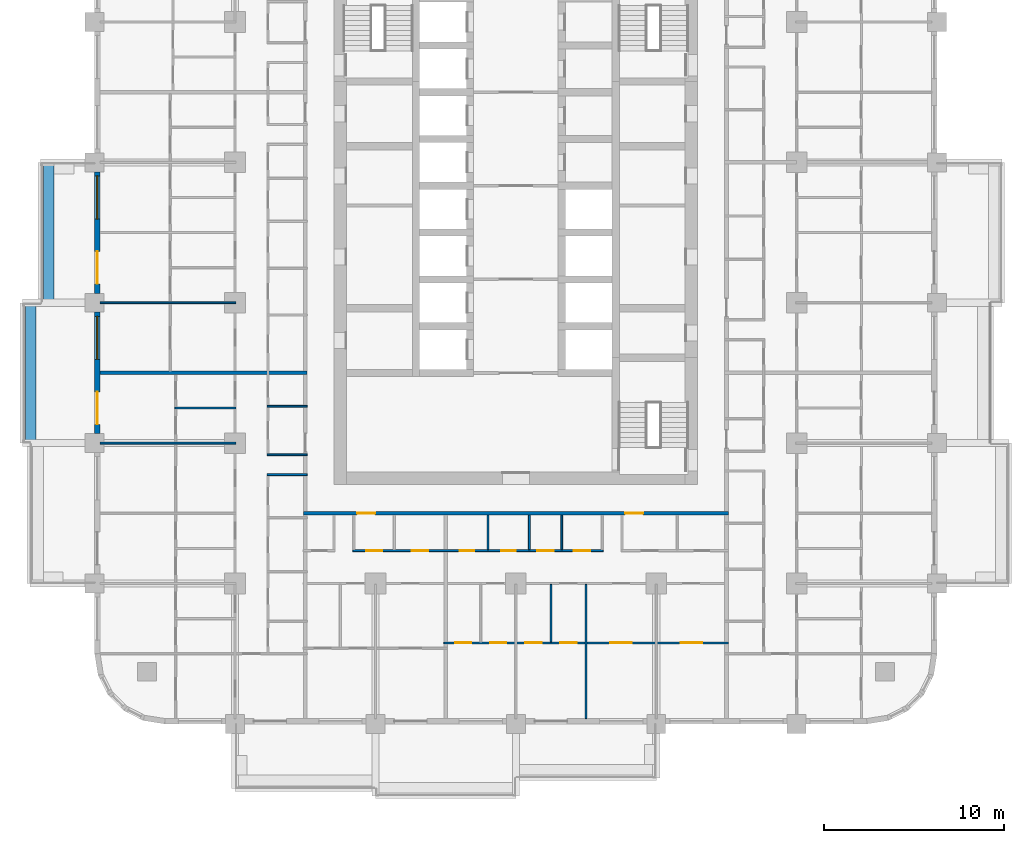
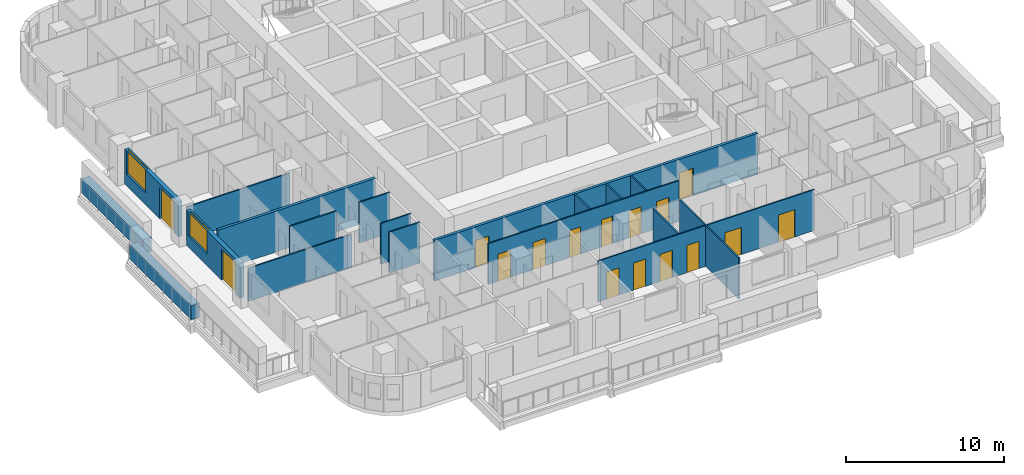
# One storey, part 4 of 17: 19 walls, 16 doors, 2 windows, 18 openings.
"""IFC4 building model written with IfcOpenShell, lengths in metres."""

from ifc_helpers import new_model, si_unit, direction, frame, frame_2d, origin, place, context, subcontext, project, spatial, rectangle, extrude, material, layer, layer_set, type_object, element, fill, save


model = new_model("IFC4")

# Units and contexts
model_context = context("Model", 3, precision=1e-05, world=origin(), true_north=direction((0.0, 1.0)))
body_context = subcontext(model_context, "Body", "Model", "MODEL_VIEW")
ifc_project = project(units=[si_unit("LENGTHUNIT", "METRE"), si_unit("AREAUNIT", "SQUARE_METRE"), si_unit("VOLUMEUNIT", "CUBIC_METRE"), si_unit("PLANEANGLEUNIT", "RADIAN"), si_unit("MASSUNIT", "GRAM", prefix="KILO")], contexts=[model_context])

# Site, building, storey
site_placement = place(None, origin())
site = spatial("IfcSite", under=ifc_project, at=site_placement, CompositionType="ELEMENT")
building_placement = place(site_placement, origin())
building = spatial("IfcBuilding", under=site, at=building_placement, Name="Ludao Terraces", CompositionType="ELEMENT")
storey_placement = place(building_placement, frame((0.0, 0.0, 51.199951171875)))
storey = spatial("IfcBuildingStorey", under=building, at=storey_placement, Name="L13", CompositionType="ELEMENT", Elevation=51.199951171875)

# Walls
ifc_material_1 = material(Name="Concrete C40", Category="concrete")
ifc_layer_1 = layer(ifc_material_1, 0.60009765625)
ifc_layer_set_1 = layer_set([ifc_layer_1], Name="ENV Planter trough 600")
wall_type_1 = type_object("IfcWallType", Name="ENV Planter trough 600", PredefinedType="USERDEFINED", material=ifc_layer_set_1)
for number, where, z_axis, x_axis, name in (
    (1, (58.050048828125, 57.199951171875, 0.0), (0.0, 0.0, 1.0), (0.0, 1.0, 0.0), "PL-L13-W2"),
    (2, (59.050048828125, 65.0, 0.0), (0.0, 0.0, 1.0), (0.0, 1.0, 0.0), "PL-L13-W3"),
):
    element("IfcWall", number, at=place(storey_placement, frame(where, z_axis=z_axis, x_axis=x_axis)), inside=storey, type_object=wall_type_1, Name=name, ObjectType="PLANTER", PredefinedType="USERDEFINED", context=body_context, shape_type="SweptSolid", body=[
        extrude(rectangle(XDim=7.800048828125, YDim=0.60009765625, at=frame_2d((3.89990234375, 0.0))), origin(), (0.0, 0.0, 1.0), 1.10009765625),
    ])

# Wall, openings, door, window
ifc_material_2 = material(Name="Granite cladding", Category="masonry")
ifc_layer_2 = layer(ifc_material_2, 0.0400390625, Category="stone")
ifc_material_3 = material(Name="Mineral wool")
ifc_layer_3 = layer(ifc_material_3, 0.06005859375)
ifc_layer_4 = layer(ifc_material_1, 0.199951171875, Category="concrete")
ifc_layer_set_2 = layer_set([ifc_layer_2, ifc_layer_3, ifc_layer_4], Name="ENV Stone-clad wall 300")
wall_type_2 = type_object("IfcWallType", Name="ENV Stone-clad wall 300", PredefinedType="SOLIDWALL", material=ifc_layer_set_2)
wall_1_placement = place(storey_placement, frame((61.75, 57.72509765625, 0.0), z_axis=(0.0, 0.0, 1.0), x_axis=(0.0, 1.0, 0.0)))
wall_1 = element("IfcWall", 3, at=wall_1_placement, inside=storey, type_object=wall_type_2, Name="EW-L13-W3", PredefinedType="SOLIDWALL", context=body_context, shape_type="SweptSolid", body=[
    extrude(rectangle(XDim=6.75, YDim=0.300048828125, at=frame_2d((3.375, 0.0))), origin(), (0.0, 0.0, 1.0), 2.699951171875),
])
opening_1_placement = place(wall_1_placement, frame((0.52490234375, 0.0, 0.0)))
opening_1 = element("IfcOpeningElement", 4, at=opening_1_placement, cuts=wall_1, Name="Opening BD", PredefinedType="OPENING", context=body_context, shape_type="SweptSolid", body=[
    extrude(rectangle(XDim=1.800048828125, YDim=2.39990234375, at=frame_2d((0.89990234375, 1.199951171875))), frame((0.0, 0.16015625, 0.0), z_axis=(0.0, -1.0, 0.0), x_axis=(1.0, 0.0, 0.0)), (0.0, 0.0, 1.0), 0.320068359375),
])
opening_2_placement = place(wall_1_placement, frame((4.125, 0.0, 0.89990234375)))
opening_2 = element("IfcOpeningElement", 5, at=opening_2_placement, cuts=wall_1, Name="Opening W1", PredefinedType="OPENING", context=body_context, shape_type="SweptSolid", body=[
    extrude(rectangle(XDim=2.39990234375, YDim=1.800048828125, at=frame_2d((1.199951171875, 0.89990234375))), frame((0.0, 0.16015625, 0.0), z_axis=(0.0, -1.0, 0.0), x_axis=(1.0, 0.0, 0.0)), (0.0, 0.0, 1.0), 0.320068359375),
])
ifc_material_4 = material(Name="Aluminium glazed door", Category="aluminium")
ifc_layer_5 = layer(ifc_material_4, 0.06005859375)
ifc_layer_set_3 = layer_set([ifc_layer_5], Name="ENV Balcony door BD 1800x2400")
door_type_1 = type_object("IfcDoorType", Name="ENV Balcony door BD 1800x2400", OperationType="DOUBLE_DOOR_SINGLE_SWING", PredefinedType="DOOR", material=ifc_layer_set_3)
door_1_placement = place(opening_1_placement, origin())
door_1 = element("IfcDoor", 6, at=door_1_placement, inside=storey, type_object=door_type_1, Name="BD-L13-W3-1", OperationType="DOUBLE_DOOR_SINGLE_SWING", OverallHeight=2.39990234375, OverallWidth=1.800048828125, PredefinedType="DOOR", context=body_context, shape_type="SweptSolid", body=[
    extrude(rectangle(XDim=1.800048828125, YDim=2.39990234375, at=frame_2d((0.89990234375, 1.199951171875))), frame((0.0, 0.02490234375, 0.0), z_axis=(0.0, -1.0, 0.0), x_axis=(1.0, 0.0, 0.0)), (0.0, 0.0, 1.0), 0.050048828125),
])
fill(opening_1, door_1)
ifc_material_5 = material(Name="Clear glass in aluminium frame", Category="aluminium")
ifc_layer_6 = layer(ifc_material_5, 0.06005859375)
ifc_layer_set_4 = layer_set([ifc_layer_6], Name="ENV Window W1 2400x1800")
window_type = type_object("IfcWindowType", Name="ENV Window W1 2400x1800", PartitioningType="DOUBLE_PANEL_VERTICAL", PredefinedType="WINDOW", material=ifc_layer_set_4)
window_1_placement = place(opening_2_placement, origin())
window_1 = element("IfcWindow", 7, at=window_1_placement, inside=storey, type_object=window_type, Name="W-L13-W3-2", OverallHeight=1.800048828125, OverallWidth=2.39990234375, PartitioningType="DOUBLE_PANEL_VERTICAL", PredefinedType="WINDOW", context=body_context, shape_type="SweptSolid", body=[
    extrude(rectangle(XDim=2.39990234375, YDim=1.800048828125, at=frame_2d((1.199951171875, 0.89990234375))), frame((0.0, 0.030029296875, 0.0), z_axis=(0.0, -1.0, 0.0), x_axis=(1.0, 0.0, 0.0)), (0.0, 0.0, 1.0), 0.06005859375),
])
fill(opening_2, window_1)

wall_2_placement = place(storey_placement, frame((61.75, 65.52490234375, 0.0), z_axis=(0.0, 0.0, 1.0), x_axis=(0.0, 1.0, 0.0)))
wall_2 = element("IfcWall", 8, at=wall_2_placement, inside=storey, type_object=wall_type_2, Name="EW-L13-W4", PredefinedType="SOLIDWALL", context=body_context, shape_type="SweptSolid", body=[
    extrude(rectangle(XDim=6.75, YDim=0.300048828125, at=frame_2d((3.375, 0.0))), origin(), (0.0, 0.0, 1.0), 2.699951171875),
])
opening_3_placement = place(wall_2_placement, frame((0.52490234375, 0.0, 0.0)))
opening_3 = element("IfcOpeningElement", 9, at=opening_3_placement, cuts=wall_2, Name="Opening BD", PredefinedType="OPENING", context=body_context, shape_type="SweptSolid", body=[
    extrude(rectangle(XDim=1.800048828125, YDim=2.39990234375, at=frame_2d((0.89990234375, 1.199951171875))), frame((0.0, 0.16015625, 0.0), z_axis=(0.0, -1.0, 0.0), x_axis=(1.0, 0.0, 0.0)), (0.0, 0.0, 1.0), 0.320068359375),
])
opening_4_placement = place(wall_2_placement, frame((4.125, 0.0, 0.89990234375)))
opening_4 = element("IfcOpeningElement", 10, at=opening_4_placement, cuts=wall_2, Name="Opening W1", PredefinedType="OPENING", context=body_context, shape_type="SweptSolid", body=[
    extrude(rectangle(XDim=2.39990234375, YDim=1.800048828125, at=frame_2d((1.199951171875, 0.89990234375))), frame((0.0, 0.16015625, 0.0), z_axis=(0.0, -1.0, 0.0), x_axis=(1.0, 0.0, 0.0)), (0.0, 0.0, 1.0), 0.320068359375),
])
door_2_placement = place(opening_3_placement, origin())
door_2 = element("IfcDoor", 11, at=door_2_placement, inside=storey, type_object=door_type_1, Name="BD-L13-W4-1", OperationType="DOUBLE_DOOR_SINGLE_SWING", OverallHeight=2.39990234375, OverallWidth=1.800048828125, PredefinedType="DOOR", context=body_context, shape_type="SweptSolid", body=[
    extrude(rectangle(XDim=1.800048828125, YDim=2.39990234375, at=frame_2d((0.89990234375, 1.199951171875))), frame((0.0, 0.02490234375, 0.0), z_axis=(0.0, -1.0, 0.0), x_axis=(1.0, 0.0, 0.0)), (0.0, 0.0, 1.0), 0.050048828125),
])
fill(opening_3, door_2)
window_2_placement = place(opening_4_placement, origin())
window_2 = element("IfcWindow", 12, at=window_2_placement, inside=storey, type_object=window_type, Name="W-L13-W4-2", OverallHeight=1.800048828125, OverallWidth=2.39990234375, PartitioningType="DOUBLE_PANEL_VERTICAL", PredefinedType="WINDOW", context=body_context, shape_type="SweptSolid", body=[
    extrude(rectangle(XDim=2.39990234375, YDim=1.800048828125, at=frame_2d((1.199951171875, 0.89990234375))), frame((0.0, 0.030029296875, 0.0), z_axis=(0.0, -1.0, 0.0), x_axis=(1.0, 0.0, 0.0)), (0.0, 0.0, 1.0), 0.06005859375),
])
fill(opening_4, window_2)

# Wall, openings, doors
ifc_material_6 = material(Name="Autoclaved aerated concrete block B06 A3.5", Category="concrete")
ifc_layer_7 = layer(ifc_material_6, 0.199951171875)
ifc_layer_set_5 = layer_set([ifc_layer_7], Name="INT Entrance wall 200")
wall_type_3 = type_object("IfcWallType", Name="INT Entrance wall 200", PredefinedType="PARTITIONING", material=ifc_layer_set_5)
wall_3_placement = place(storey_placement, frame((73.2001953125, 53.300048828125, 0.0), z_axis=(0.0, 0.0, 1.0), x_axis=(1.0, 0.0, 0.0)))
wall_3 = element("IfcWall", 13, at=wall_3_placement, inside=storey, type_object=wall_type_3, Name="PW-L13-PW021", PredefinedType="PARTITIONING", context=body_context, shape_type="SweptSolid", body=[
    extrude(rectangle(XDim=23.599853515625, YDim=0.199951171875, at=frame_2d((11.7998046875, 0.0))), origin(), (0.0, 0.0, 1.0), 3.150146484375),
])
opening_5_placement = place(wall_3_placement, frame((2.974853515625, 0.0, 0.0)))
opening_5 = element("IfcOpeningElement", 14, at=opening_5_placement, cuts=wall_3, Name="Opening R04-049", PredefinedType="OPENING", context=body_context, shape_type="SweptSolid", body=[
    extrude(rectangle(XDim=1.0, YDim=2.10009765625, at=frame_2d((0.5, 1.050048828125))), frame((0.0, 0.10986328125, 0.0), z_axis=(0.0, -1.0, 0.0), x_axis=(1.0, 0.0, 0.0)), (0.0, 0.0, 1.0), 0.219970703125),
])
opening_6_placement = place(wall_3_placement, frame((17.875, 0.0, 0.0)))
opening_6 = element("IfcOpeningElement", 15, at=opening_6_placement, cuts=wall_3, Name="Opening R04-050", PredefinedType="OPENING", context=body_context, shape_type="SweptSolid", body=[
    extrude(rectangle(XDim=1.0, YDim=2.10009765625, at=frame_2d((0.5, 1.050048828125))), frame((0.0, 0.10986328125, 0.0), z_axis=(0.0, -1.0, 0.0), x_axis=(1.0, 0.0, 0.0)), (0.0, 0.0, 1.0), 0.219970703125),
])
ifc_material_7 = material(Name="Steel Q235", Category="steel")
door_type_2 = type_object("IfcDoorType", Name="INT Flat entrance door 1000", OperationType="SINGLE_SWING_LEFT", PredefinedType="DOOR", material=ifc_material_7)
door_3_placement = place(opening_5_placement, origin())
door_3 = element("IfcDoor", 16, at=door_3_placement, inside=storey, type_object=door_type_2, Name="DOOR 049", OperationType="SINGLE_SWING_LEFT", OverallHeight=2.10009765625, OverallWidth=1.0, PredefinedType="DOOR", context=body_context, shape_type="SweptSolid", body=[
    extrude(rectangle(XDim=1.0, YDim=2.10009765625, at=frame_2d((0.5, 1.050048828125))), frame((0.0, 0.02490234375, 0.0), z_axis=(0.0, -1.0, 0.0), x_axis=(1.0, 0.0, 0.0)), (0.0, 0.0, 1.0), 0.050048828125),
])
fill(opening_5, door_3)
door_4_placement = place(opening_6_placement, origin())
door_4 = element("IfcDoor", 17, at=door_4_placement, inside=storey, type_object=door_type_2, Name="DOOR 050", OperationType="SINGLE_SWING_LEFT", OverallHeight=2.10009765625, OverallWidth=1.0, PredefinedType="DOOR", context=body_context, shape_type="SweptSolid", body=[
    extrude(rectangle(XDim=1.0, YDim=2.10009765625, at=frame_2d((0.5, 1.050048828125))), frame((0.0, 0.02490234375, 0.0), z_axis=(0.0, -1.0, 0.0), x_axis=(1.0, 0.0, 0.0)), (0.0, 0.0, 1.0), 0.050048828125),
])
fill(opening_6, door_4)

ifc_material_8 = material(Name="Gypsum plasterboard", Category="gypsum")
ifc_layer_8 = layer(ifc_material_8, 0.012451171875, Category="gypsum")
ifc_layer_9 = layer(ifc_material_3, 0.06005859375, Name="insulation")
ifc_layer_10 = layer(ifc_material_7, 0.014892578125, Name="stud")
ifc_layer_11 = layer(ifc_material_8, 0.012451171875, Category="gypsum")
ifc_layer_set_6 = layer_set([ifc_layer_8, ifc_layer_9, ifc_layer_10, ifc_layer_11], Name="INT Partition 100")
wall_type_4 = type_object("IfcWallType", Name="INT Partition 100", PredefinedType="PARTITIONING", material=ifc_layer_set_6)
wall_4_placement = place(storey_placement, frame((81.0, 46.10009765625, 0.0), z_axis=(0.0, 0.0, 1.0), x_axis=(1.0, 0.0, 0.0)))
wall_4 = element("IfcWall", 18, at=wall_4_placement, inside=storey, type_object=wall_type_4, Name="PW-L13-PW003", PredefinedType="PARTITIONING", context=body_context, shape_type="SweptSolid", body=[
    extrude(rectangle(XDim=15.800048828125, YDim=0.10009765625, at=frame_2d((7.89990234375, 0.0))), origin(), (0.0, 0.0, 1.0), 3.150146484375),
])
opening_7_placement = place(wall_4_placement, frame((0.625, 0.0, 0.0)))
opening_7 = element("IfcOpeningElement", 19, at=opening_7_placement, cuts=wall_4, Name="Opening R04-010", PredefinedType="OPENING", context=body_context, shape_type="SweptSolid", body=[
    extrude(rectangle(XDim=0.89990234375, YDim=2.10009765625, at=frame_2d((0.449951171875, 1.050048828125))), frame((0.0, 0.06005859375, 0.0), z_axis=(0.0, -1.0, 0.0), x_axis=(1.0, 0.0, 0.0)), (0.0, 0.0, 1.0), 0.1201171875),
])
opening_8_placement = place(wall_4_placement, frame((2.5751953125, 0.0, 0.0)))
opening_8 = element("IfcOpeningElement", 20, at=opening_8_placement, cuts=wall_4, Name="Opening R04-011", PredefinedType="OPENING", context=body_context, shape_type="SweptSolid", body=[
    extrude(rectangle(XDim=0.89990234375, YDim=2.10009765625, at=frame_2d((0.449951171875, 1.050048828125))), frame((0.0, 0.06005859375, 0.0), z_axis=(0.0, -1.0, 0.0), x_axis=(1.0, 0.0, 0.0)), (0.0, 0.0, 1.0), 0.1201171875),
])
opening_9_placement = place(wall_4_placement, frame((4.525146484375, 0.0, 0.0)))
opening_9 = element("IfcOpeningElement", 21, at=opening_9_placement, cuts=wall_4, Name="Opening R04-012", PredefinedType="OPENING", context=body_context, shape_type="SweptSolid", body=[
    extrude(rectangle(XDim=0.89990234375, YDim=2.10009765625, at=frame_2d((0.449951171875, 1.050048828125))), frame((0.0, 0.06005859375, 0.0), z_axis=(0.0, -1.0, 0.0), x_axis=(1.0, 0.0, 0.0)), (0.0, 0.0, 1.0), 0.1201171875),
])
opening_10_placement = place(wall_4_placement, frame((6.47509765625, 0.0, 0.0)))
opening_10 = element("IfcOpeningElement", 22, at=opening_10_placement, cuts=wall_4, Name="Opening R04-013", PredefinedType="OPENING", context=body_context, shape_type="SweptSolid", body=[
    extrude(rectangle(XDim=0.89990234375, YDim=2.10009765625, at=frame_2d((0.449951171875, 1.050048828125))), frame((0.0, 0.06005859375, 0.0), z_axis=(0.0, -1.0, 0.0), x_axis=(1.0, 0.0, 0.0)), (0.0, 0.0, 1.0), 0.1201171875),
])
opening_11_placement = place(wall_4_placement, frame((9.25, 0.0, 0.0)))
opening_11 = element("IfcOpeningElement", 23, at=opening_11_placement, cuts=wall_4, Name="Opening R04-014", PredefinedType="OPENING", context=body_context, shape_type="SweptSolid", body=[
    extrude(rectangle(XDim=1.199951171875, YDim=2.10009765625, at=frame_2d((0.60009765625, 1.050048828125))), frame((0.0, 0.06005859375, 0.0), z_axis=(0.0, -1.0, 0.0), x_axis=(1.0, 0.0, 0.0)), (0.0, 0.0, 1.0), 0.1201171875),
])
opening_12_placement = place(wall_4_placement, frame((13.150146484375, 0.0, 0.0)))
opening_12 = element("IfcOpeningElement", 24, at=opening_12_placement, cuts=wall_4, Name="Opening R04-015", PredefinedType="OPENING", context=body_context, shape_type="SweptSolid", body=[
    extrude(rectangle(XDim=1.199951171875, YDim=2.10009765625, at=frame_2d((0.60009765625, 1.050048828125))), frame((0.0, 0.06005859375, 0.0), z_axis=(0.0, -1.0, 0.0), x_axis=(1.0, 0.0, 0.0)), (0.0, 0.0, 1.0), 0.1201171875),
])
ifc_material_9 = material(Name="Timber door leaf", Category="wood")
door_type_3 = type_object("IfcDoorType", Name="INT Bathroom door 900", OperationType="SINGLE_SWING_LEFT", PredefinedType="DOOR", material=ifc_material_9)
door_5_placement = place(opening_7_placement, origin())
door_5 = element("IfcDoor", 25, at=door_5_placement, inside=storey, type_object=door_type_3, Name="DOOR 010", OperationType="SINGLE_SWING_LEFT", OverallHeight=2.10009765625, OverallWidth=0.89990234375, PredefinedType="DOOR", context=body_context, shape_type="SweptSolid", body=[
    extrude(rectangle(XDim=0.89990234375, YDim=2.10009765625, at=frame_2d((0.449951171875, 1.050048828125))), frame((0.0, 0.02490234375, 0.0), z_axis=(0.0, -1.0, 0.0), x_axis=(1.0, 0.0, 0.0)), (0.0, 0.0, 1.0), 0.050048828125),
])
fill(opening_7, door_5)
door_6_placement = place(opening_9_placement, origin())
door_6 = element("IfcDoor", 26, at=door_6_placement, inside=storey, type_object=door_type_3, Name="DOOR 012", OperationType="SINGLE_SWING_RIGHT", OverallHeight=2.10009765625, OverallWidth=0.89990234375, PredefinedType="DOOR", context=body_context, shape_type="SweptSolid", body=[
    extrude(rectangle(XDim=0.89990234375, YDim=2.10009765625, at=frame_2d((0.449951171875, 1.050048828125))), frame((0.0, 0.02490234375, 0.0), z_axis=(0.0, -1.0, 0.0), x_axis=(1.0, 0.0, 0.0)), (0.0, 0.0, 1.0), 0.050048828125),
])
fill(opening_9, door_6)
door_type_4 = type_object("IfcDoorType", Name="INT Double door 1200", OperationType="DOUBLE_DOOR_SINGLE_SWING", PredefinedType="DOOR", material=ifc_material_9)
door_7_placement = place(opening_11_placement, origin())
door_7 = element("IfcDoor", 27, at=door_7_placement, inside=storey, type_object=door_type_4, Name="DOOR 014", OperationType="DOUBLE_DOOR_SINGLE_SWING", OverallHeight=2.10009765625, OverallWidth=1.199951171875, PredefinedType="DOOR", context=body_context, shape_type="SweptSolid", body=[
    extrude(rectangle(XDim=1.199951171875, YDim=2.10009765625, at=frame_2d((0.60009765625, 1.050048828125))), frame((0.0, 0.02490234375, 0.0), z_axis=(0.0, -1.0, 0.0), x_axis=(1.0, 0.0, 0.0)), (0.0, 0.0, 1.0), 0.050048828125),
])
fill(opening_11, door_7)
door_8_placement = place(opening_12_placement, origin())
door_8 = element("IfcDoor", 28, at=door_8_placement, inside=storey, type_object=door_type_4, Name="DOOR 015", OperationType="DOUBLE_DOOR_SINGLE_SWING", OverallHeight=2.10009765625, OverallWidth=1.199951171875, PredefinedType="DOOR", context=body_context, shape_type="SweptSolid", body=[
    extrude(rectangle(XDim=1.199951171875, YDim=2.10009765625, at=frame_2d((0.60009765625, 1.050048828125))), frame((0.0, 0.02490234375, 0.0), z_axis=(0.0, -1.0, 0.0), x_axis=(1.0, 0.0, 0.0)), (0.0, 0.0, 1.0), 0.050048828125),
])
fill(opening_12, door_8)
door_type_5 = type_object("IfcDoorType", Name="INT Room door 900", OperationType="SINGLE_SWING_LEFT", PredefinedType="DOOR", material=ifc_material_9)
door_9_placement = place(opening_8_placement, origin())
door_9 = element("IfcDoor", 29, at=door_9_placement, inside=storey, type_object=door_type_5, Name="DOOR 011", OperationType="SINGLE_SWING_LEFT", OverallHeight=2.10009765625, OverallWidth=0.89990234375, PredefinedType="DOOR", context=body_context, shape_type="SweptSolid", body=[
    extrude(rectangle(XDim=0.89990234375, YDim=2.10009765625, at=frame_2d((0.449951171875, 1.050048828125))), frame((0.0, 0.02490234375, 0.0), z_axis=(0.0, -1.0, 0.0), x_axis=(1.0, 0.0, 0.0)), (0.0, 0.0, 1.0), 0.050048828125),
])
fill(opening_8, door_9)
door_10_placement = place(opening_10_placement, origin())
door_10 = element("IfcDoor", 30, at=door_10_placement, inside=storey, type_object=door_type_5, Name="DOOR 013", OperationType="SINGLE_SWING_LEFT", OverallHeight=2.10009765625, OverallWidth=0.89990234375, PredefinedType="DOOR", context=body_context, shape_type="SweptSolid", body=[
    extrude(rectangle(XDim=0.89990234375, YDim=2.10009765625, at=frame_2d((0.449951171875, 1.050048828125))), frame((0.0, 0.02490234375, 0.0), z_axis=(0.0, -1.0, 0.0), x_axis=(1.0, 0.0, 0.0)), (0.0, 0.0, 1.0), 0.050048828125),
])
fill(opening_10, door_10)

wall_5_placement = place(storey_placement, frame((75.9501953125, 51.22998046875, 0.0), z_axis=(0.0, 0.0, 1.0), x_axis=(1.0, 0.0, 0.0)))
wall_5 = element("IfcWall", 31, at=wall_5_placement, inside=storey, type_object=wall_type_4, Name="PW-L13-PW014", PredefinedType="PARTITIONING", context=body_context, shape_type="SweptSolid", body=[
    extrude(rectangle(XDim=13.89990234375, YDim=0.10009765625, at=frame_2d((6.949951171875, 0.0))), origin(), (0.0, 0.0, 1.0), 3.150146484375),
])
opening_13_placement = place(wall_5_placement, frame((0.724853515625, 0.0, 0.0)))
opening_13 = element("IfcOpeningElement", 32, at=opening_13_placement, cuts=wall_5, Name="Opening R04-035", PredefinedType="OPENING", context=body_context, shape_type="SweptSolid", body=[
    extrude(rectangle(XDim=0.89990234375, YDim=2.10009765625, at=frame_2d((0.449951171875, 1.050048828125))), frame((0.0, 0.06005859375, 0.0), z_axis=(0.0, -1.0, 0.0), x_axis=(1.0, 0.0, 0.0)), (0.0, 0.0, 1.0), 0.1201171875),
])
opening_14_placement = place(wall_5_placement, frame((3.27490234375, 0.0, 0.0)))
opening_14 = element("IfcOpeningElement", 33, at=opening_14_placement, cuts=wall_5, Name="Opening R04-036", PredefinedType="OPENING", context=body_context, shape_type="SweptSolid", body=[
    extrude(rectangle(XDim=0.89990234375, YDim=2.10009765625, at=frame_2d((0.449951171875, 1.050048828125))), frame((0.0, 0.06005859375, 0.0), z_axis=(0.0, -1.0, 0.0), x_axis=(1.0, 0.0, 0.0)), (0.0, 0.0, 1.0), 0.1201171875),
])
opening_15_placement = place(wall_5_placement, frame((5.9248046875, 0.0, 0.0)))
opening_15 = element("IfcOpeningElement", 34, at=opening_15_placement, cuts=wall_5, Name="Opening R04-037", PredefinedType="OPENING", context=body_context, shape_type="SweptSolid", body=[
    extrude(rectangle(XDim=0.800048828125, YDim=2.10009765625, at=frame_2d((0.39990234375, 1.050048828125))), frame((0.0, 0.06005859375, 0.0), z_axis=(0.0, -1.0, 0.0), x_axis=(1.0, 0.0, 0.0)), (0.0, 0.0, 1.0), 0.1201171875),
])
opening_16_placement = place(wall_5_placement, frame((8.25, 0.0, 0.0)))
opening_16 = element("IfcOpeningElement", 35, at=opening_16_placement, cuts=wall_5, Name="Opening R04-038", PredefinedType="OPENING", context=body_context, shape_type="SweptSolid", body=[
    extrude(rectangle(XDim=0.800048828125, YDim=2.10009765625, at=frame_2d((0.39990234375, 1.050048828125))), frame((0.0, 0.06005859375, 0.0), z_axis=(0.0, -1.0, 0.0), x_axis=(1.0, 0.0, 0.0)), (0.0, 0.0, 1.0), 0.1201171875),
])
opening_17_placement = place(wall_5_placement, frame((10.25, 0.0, 0.0)))
opening_17 = element("IfcOpeningElement", 36, at=opening_17_placement, cuts=wall_5, Name="Opening R04-039", PredefinedType="OPENING", context=body_context, shape_type="SweptSolid", body=[
    extrude(rectangle(XDim=0.89990234375, YDim=2.10009765625, at=frame_2d((0.449951171875, 1.050048828125))), frame((0.0, 0.06005859375, 0.0), z_axis=(0.0, -1.0, 0.0), x_axis=(1.0, 0.0, 0.0)), (0.0, 0.0, 1.0), 0.1201171875),
])
opening_18_placement = place(wall_5_placement, frame((12.27490234375, 0.0, 0.0)))
opening_18 = element("IfcOpeningElement", 37, at=opening_18_placement, cuts=wall_5, Name="Opening R04-040", PredefinedType="OPENING", context=body_context, shape_type="SweptSolid", body=[
    extrude(rectangle(XDim=0.89990234375, YDim=2.10009765625, at=frame_2d((0.449951171875, 1.050048828125))), frame((0.0, 0.06005859375, 0.0), z_axis=(0.0, -1.0, 0.0), x_axis=(1.0, 0.0, 0.0)), (0.0, 0.0, 1.0), 0.1201171875),
])
door_11_placement = place(opening_13_placement, origin())
door_11 = element("IfcDoor", 38, at=door_11_placement, inside=storey, type_object=door_type_3, Name="DOOR 035", OperationType="SINGLE_SWING_LEFT", OverallHeight=2.10009765625, OverallWidth=0.89990234375, PredefinedType="DOOR", context=body_context, shape_type="SweptSolid", body=[
    extrude(rectangle(XDim=0.89990234375, YDim=2.10009765625, at=frame_2d((0.449951171875, 1.050048828125))), frame((0.0, 0.02490234375, 0.0), z_axis=(0.0, -1.0, 0.0), x_axis=(1.0, 0.0, 0.0)), (0.0, 0.0, 1.0), 0.050048828125),
])
fill(opening_13, door_11)
door_12_placement = place(opening_17_placement, origin())
door_12 = element("IfcDoor", 39, at=door_12_placement, inside=storey, type_object=door_type_3, Name="DOOR 039", OperationType="SINGLE_SWING_LEFT", OverallHeight=2.10009765625, OverallWidth=0.89990234375, PredefinedType="DOOR", context=body_context, shape_type="SweptSolid", body=[
    extrude(rectangle(XDim=0.89990234375, YDim=2.10009765625, at=frame_2d((0.449951171875, 1.050048828125))), frame((0.0, 0.02490234375, 0.0), z_axis=(0.0, -1.0, 0.0), x_axis=(1.0, 0.0, 0.0)), (0.0, 0.0, 1.0), 0.050048828125),
])
fill(opening_17, door_12)
door_13_placement = place(opening_18_placement, origin())
door_13 = element("IfcDoor", 40, at=door_13_placement, inside=storey, type_object=door_type_3, Name="DOOR 040", OperationType="SINGLE_SWING_RIGHT", OverallHeight=2.10009765625, OverallWidth=0.89990234375, PredefinedType="DOOR", context=body_context, shape_type="SweptSolid", body=[
    extrude(rectangle(XDim=0.89990234375, YDim=2.10009765625, at=frame_2d((0.449951171875, 1.050048828125))), frame((0.0, 0.02490234375, 0.0), z_axis=(0.0, -1.0, 0.0), x_axis=(1.0, 0.0, 0.0)), (0.0, 0.0, 1.0), 0.050048828125),
])
fill(opening_18, door_13)
door_14_placement = place(opening_14_placement, origin())
door_14 = element("IfcDoor", 41, at=door_14_placement, inside=storey, type_object=door_type_5, Name="DOOR 036", OperationType="SINGLE_SWING_RIGHT", OverallHeight=2.10009765625, OverallWidth=0.89990234375, PredefinedType="DOOR", context=body_context, shape_type="SweptSolid", body=[
    extrude(rectangle(XDim=0.89990234375, YDim=2.10009765625, at=frame_2d((0.449951171875, 1.050048828125))), frame((0.0, 0.02490234375, 0.0), z_axis=(0.0, -1.0, 0.0), x_axis=(1.0, 0.0, 0.0)), (0.0, 0.0, 1.0), 0.050048828125),
])
fill(opening_14, door_14)
door_type_6 = type_object("IfcDoorType", Name="INT Store door 800", OperationType="SINGLE_SWING_LEFT", PredefinedType="DOOR", material=ifc_material_9)
door_15_placement = place(opening_15_placement, origin())
door_15 = element("IfcDoor", 42, at=door_15_placement, inside=storey, type_object=door_type_6, Name="DOOR 037", OperationType="SINGLE_SWING_LEFT", OverallHeight=2.10009765625, OverallWidth=0.800048828125, PredefinedType="DOOR", context=body_context, shape_type="SweptSolid", body=[
    extrude(rectangle(XDim=0.800048828125, YDim=2.10009765625, at=frame_2d((0.39990234375, 1.050048828125))), frame((0.0, 0.02490234375, 0.0), z_axis=(0.0, -1.0, 0.0), x_axis=(1.0, 0.0, 0.0)), (0.0, 0.0, 1.0), 0.050048828125),
])
fill(opening_15, door_15)
door_16_placement = place(opening_16_placement, origin())
door_16 = element("IfcDoor", 43, at=door_16_placement, inside=storey, type_object=door_type_6, Name="DOOR 038", OperationType="SINGLE_SWING_LEFT", OverallHeight=2.10009765625, OverallWidth=0.800048828125, PredefinedType="DOOR", context=body_context, shape_type="SweptSolid", body=[
    extrude(rectangle(XDim=0.800048828125, YDim=2.10009765625, at=frame_2d((0.39990234375, 1.050048828125))), frame((0.0, 0.02490234375, 0.0), z_axis=(0.0, -1.0, 0.0), x_axis=(1.0, 0.0, 0.0)), (0.0, 0.0, 1.0), 0.050048828125),
])
fill(opening_16, door_16)

# Walls
for number, where, z_axis, x_axis, name in (
    (44, (71.18017578125, 55.449951171875, 0.0), (0.0, 0.0, 1.0), (1.0, 0.0, 0.0), "PW-L13-PW023"),
    (45, (71.18017578125, 56.550048828125, 0.0), (0.0, 0.0, 1.0), (1.0, 0.0, 0.0), "PW-L13-PW025"),
):
    element("IfcWall", number, at=place(storey_placement, frame(where, z_axis=z_axis, x_axis=x_axis)), inside=storey, type_object=wall_type_4, Name=name, PredefinedType="PARTITIONING", context=body_context, shape_type="SweptSolid", body=[
        extrude(rectangle(XDim=2.219970703125, YDim=0.10009765625, at=frame_2d((1.10986328125, 0.0))), origin(), (0.0, 0.0, 1.0), 3.150146484375),
    ])
wall_6_placement = place(storey_placement, frame((61.900146484375, 57.199951171875, 0.0), z_axis=(0.0, 0.0, 1.0), x_axis=(1.0, 0.0, 0.0)))
element("IfcWall", 46, at=wall_6_placement, inside=storey, type_object=wall_type_4, Name="PW-L13-PW027", PredefinedType="PARTITIONING", context=body_context, shape_type="SweptSolid", body=[
    extrude(rectangle(XDim=7.550048828125, YDim=0.10009765625, at=frame_2d((3.77490234375, 0.0))), origin(), (0.0, 0.0, 1.0), 2.550048828125),
])
wall_7_placement = place(storey_placement, frame((66.050048828125, 59.14990234375, 0.0), z_axis=(0.0, 0.0, 1.0), x_axis=(1.0, 0.0, 0.0)))
element("IfcWall", 47, at=wall_7_placement, inside=storey, type_object=wall_type_4, Name="PW-L13-PW030", PredefinedType="PARTITIONING", context=body_context, shape_type="SweptSolid", body=[
    extrude(rectangle(XDim=3.400146484375, YDim=0.10009765625, at=frame_2d((1.7001953125, 0.0))), origin(), (0.0, 0.0, 1.0), 3.150146484375),
])
wall_8_placement = place(storey_placement, frame((71.18017578125, 59.25, 0.0), z_axis=(0.0, 0.0, 1.0), x_axis=(1.0, 0.0, 0.0)))
element("IfcWall", 48, at=wall_8_placement, inside=storey, type_object=wall_type_4, Name="PW-L13-PW032", PredefinedType="PARTITIONING", context=body_context, shape_type="SweptSolid", body=[
    extrude(rectangle(XDim=2.219970703125, YDim=0.10009765625, at=frame_2d((1.10986328125, 0.0))), origin(), (0.0, 0.0, 1.0), 3.150146484375),
])
wall_9_placement = place(storey_placement, frame((61.900146484375, 65.0, 0.0), z_axis=(0.0, 0.0, 1.0), x_axis=(1.0, 0.0, 0.0)))
element("IfcWall", 49, at=wall_9_placement, inside=storey, type_object=wall_type_4, Name="PW-L13-PW039", PredefinedType="PARTITIONING", context=body_context, shape_type="SweptSolid", body=[
    extrude(rectangle(XDim=7.550048828125, YDim=0.10009765625, at=frame_2d((3.77490234375, 0.0))), origin(), (0.0, 0.0, 1.0), 2.550048828125),
])
for number, where, z_axis, x_axis, name in (
    (50, (83.449951171875, 51.280029296875, 0.0), (0.0, 0.0, 1.0), (0.0, 1.0, 0.0), "PW-L13-PW100"),
    (51, (85.75, 51.280029296875, 0.0), (0.0, 0.0, 1.0), (0.0, 1.0, 0.0), "PW-L13-PW103"),
):
    element("IfcWall", number, at=place(storey_placement, frame(where, z_axis=z_axis, x_axis=x_axis)), inside=storey, type_object=wall_type_4, Name=name, PredefinedType="PARTITIONING", context=body_context, shape_type="SweptSolid", body=[
        extrude(rectangle(XDim=1.920166015625, YDim=0.10009765625, at=frame_2d((0.9599609375, 0.0))), origin(), (0.0, 0.0, 1.0), 3.150146484375),
    ])
wall_10_placement = place(storey_placement, frame((86.949951171875, 46.150146484375, 0.0), z_axis=(0.0, 0.0, 1.0), x_axis=(0.0, 1.0, 0.0)))
element("IfcWall", 52, at=wall_10_placement, inside=storey, type_object=wall_type_4, Name="PW-L13-PW104", PredefinedType="PARTITIONING", context=body_context, shape_type="SweptSolid", body=[
    extrude(rectangle(XDim=3.199951171875, YDim=0.10009765625, at=frame_2d((1.60009765625, 0.0))), origin(), (0.0, 0.0, 1.0), 3.150146484375),
])
wall_11_placement = place(storey_placement, frame((87.550048828125, 51.280029296875, 0.0), z_axis=(0.0, 0.0, 1.0), x_axis=(0.0, 1.0, 0.0)))
element("IfcWall", 53, at=wall_11_placement, inside=storey, type_object=wall_type_4, Name="PW-L13-PW105", PredefinedType="PARTITIONING", context=body_context, shape_type="SweptSolid", body=[
    extrude(rectangle(XDim=1.920166015625, YDim=0.10009765625, at=frame_2d((0.9599609375, 0.0))), origin(), (0.0, 0.0, 1.0), 3.150146484375),
])
wall_12_placement = place(storey_placement, frame((88.89990234375, 41.900146484375, 0.0), z_axis=(0.0, 0.0, 1.0), x_axis=(0.0, 1.0, 0.0)))
element("IfcWall", 54, at=wall_12_placement, inside=storey, type_object=wall_type_4, Name="PW-L13-PW106", PredefinedType="PARTITIONING", context=body_context, shape_type="SweptSolid", body=[
    extrude(rectangle(XDim=7.449951171875, YDim=0.10009765625, at=frame_2d((3.72509765625, 0.0))), origin(), (0.0, 0.0, 1.0), 3.150146484375),
])
ifc_layer_12 = layer(ifc_material_6, 0.199951171875)
ifc_layer_set_7 = layer_set([ifc_layer_12], Name="INT Party wall 200")
wall_type_5 = type_object("IfcWallType", Name="INT Party wall 200", PredefinedType="PARTITIONING", material=ifc_layer_set_7)
wall_13_placement = place(storey_placement, frame((61.900146484375, 61.10009765625, 0.0), z_axis=(0.0, 0.0, 1.0), x_axis=(1.0, 0.0, 0.0)))
element("IfcWall", 55, at=wall_13_placement, inside=storey, type_object=wall_type_5, Name="PW-L13-PW033", PredefinedType="PARTITIONING", context=body_context, shape_type="SweptSolid", body=[
    extrude(rectangle(XDim=11.5, YDim=0.199951171875, at=frame_2d((5.75, 0.0))), origin(), (0.0, 0.0, 1.0), 3.150146484375),
])

save(model, "model.ifc")
